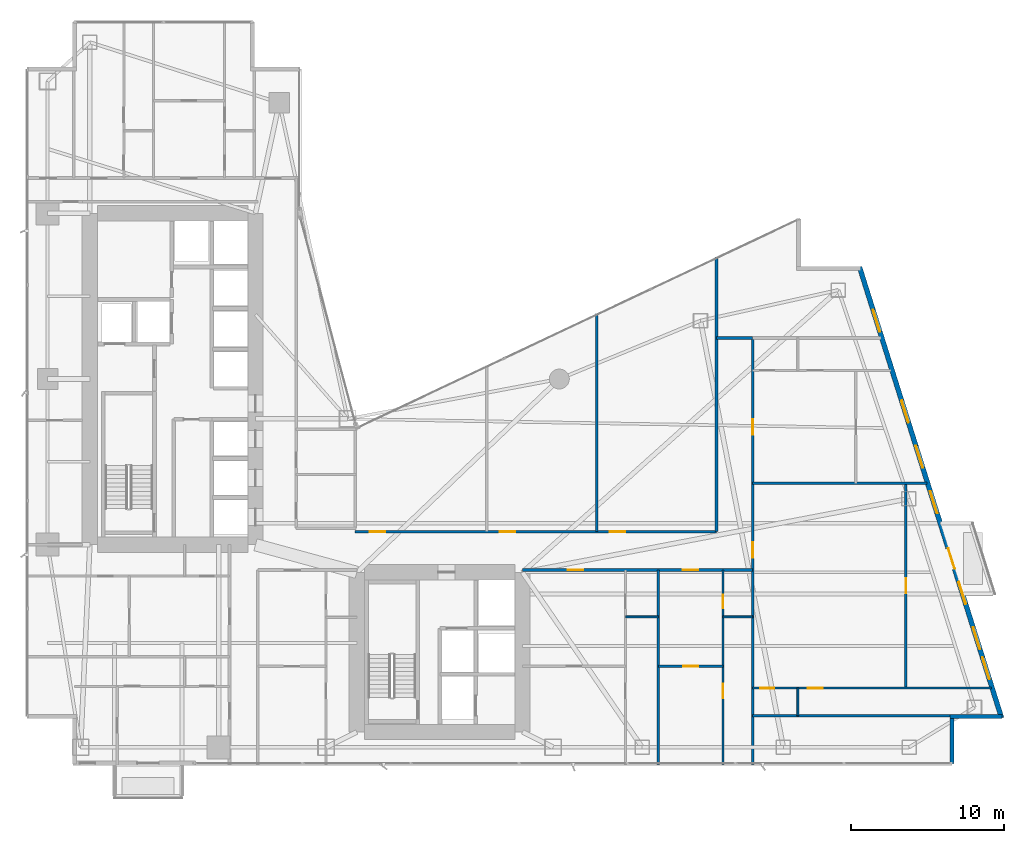
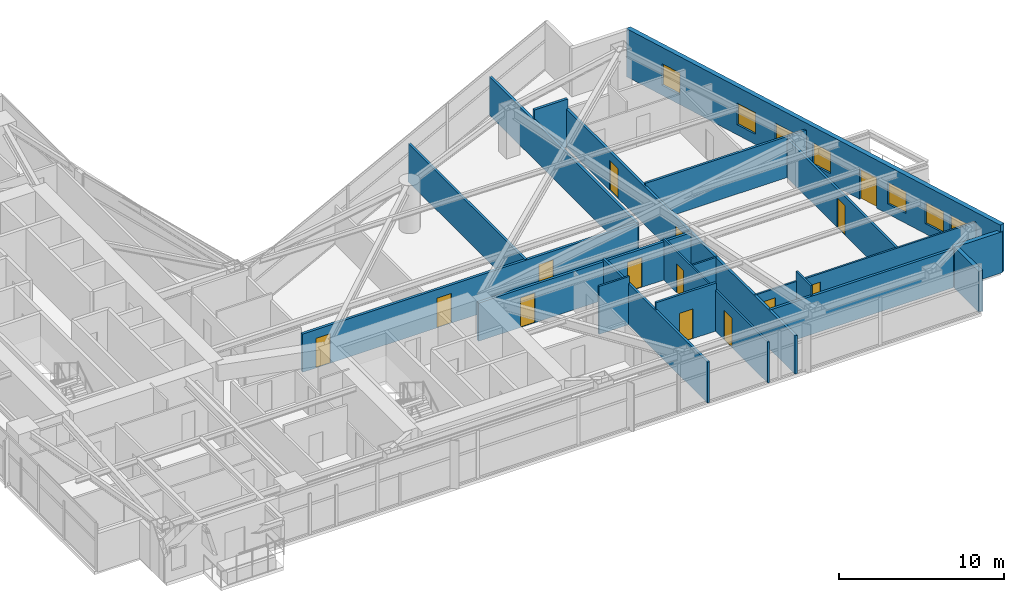
# One storey, part 24 of 29: 19 walls, 14 doors, 7 windows, 21 openings.
"""IFC4 building model written with IfcOpenShell, lengths in metres."""

from ifc_helpers import new_model, si_unit, direction, frame, frame_2d, origin, place, context, subcontext, project, spatial, rectangle, extrude, material, layer, layer_set, type_object, element, fill, save


model = new_model("IFC4")

# Units and contexts
model_context = context("Model", 3, precision=1e-05, world=origin(), true_north=direction((0.0, 1.0)))
body_context = subcontext(model_context, "Body", "Model", "MODEL_VIEW")
ifc_project = project(units=[si_unit("LENGTHUNIT", "METRE"), si_unit("AREAUNIT", "SQUARE_METRE"), si_unit("VOLUMEUNIT", "CUBIC_METRE"), si_unit("PLANEANGLEUNIT", "RADIAN"), si_unit("MASSUNIT", "GRAM", prefix="KILO")], contexts=[model_context])

# Site, building, storey
site_placement = place(None, origin())
site = spatial("IfcSite", under=ifc_project, at=site_placement, CompositionType="ELEMENT")
building_placement = place(site_placement, origin())
building = spatial("IfcBuilding", under=site, at=building_placement, Name="Calvorn Quay Hotel", CompositionType="ELEMENT")
storey_placement = place(building_placement, frame((0.0, 0.0, 34.60009765625)))
storey = spatial("IfcBuildingStorey", under=building, at=storey_placement, Name="L07", CompositionType="ELEMENT", Elevation=34.60009765625)

# Wall, openings, doors
ifc_material_1 = material(Name="Acoustic Fireboard Steel-Stud Partition", Category="steel")
ifc_layer_1 = layer(ifc_material_1, 0.179931640625)
ifc_layer_set_1 = layer_set([ifc_layer_1], Name="WL-CORR-FIRE-180")
wall_type_1 = type_object("IfcWallType", Name="WL-CORR-FIRE-180", PredefinedType="PARTITIONING", material=ifc_layer_set_1)
wall_1_placement = place(storey_placement, frame((32.39990234375, 15.14990234375, 0.0), z_axis=(0.0, 0.0, 1.0), x_axis=(1.0, 0.0, 0.0)))
wall_1 = element("IfcWall", 1, at=wall_1_placement, inside=storey, type_object=wall_type_1, Name="Partition Wall L07-WL-CORR-SE-S", PredefinedType="PARTITIONING", context=body_context, shape_type="SweptSolid", body=[
    extrude(rectangle(XDim=15.0, YDim=0.179931640625, at=frame_2d((7.5, 0.0))), origin(), (0.0, 0.0, 1.0), 2.83984375),
])
opening_1_placement = place(wall_1_placement, frame((2.949951171875, 0.0, 0.0)))
opening_1 = element("IfcOpeningElement", 2, at=opening_1_placement, cuts=wall_1, Name="Opening D-L07-U06", PredefinedType="OPENING", context=body_context, shape_type="SweptSolid", body=[
    extrude(rectangle(XDim=1.02001953125, YDim=2.199951171875, at=frame_2d((0.510009765625, 1.10009765625))), frame((0.0, 0.099853515625, 0.0), z_axis=(0.0, -1.0, 0.0), x_axis=(1.0, 0.0, 0.0)), (0.0, 0.0, 1.0), 0.199951171875),
])
opening_2_placement = place(wall_1_placement, frame((10.449951171875, 0.0, 0.0)))
opening_2 = element("IfcOpeningElement", 3, at=opening_2_placement, cuts=wall_1, Name="Opening D-L07-U07", PredefinedType="OPENING", context=body_context, shape_type="SweptSolid", body=[
    extrude(rectangle(XDim=1.02001953125, YDim=2.199951171875, at=frame_2d((0.510009765625, 1.10009765625))), frame((0.0, 0.099853515625, 0.0), z_axis=(0.0, -1.0, 0.0), x_axis=(1.0, 0.0, 0.0)), (0.0, 0.0, 1.0), 0.199951171875),
])
ifc_material_2 = material(Name="Solid-Core Walnut Veneer Hotel Fire Door")
door_type_1 = type_object("IfcDoorType", Name="DR-GUEST-ENTRY-1020", OperationType="NOTDEFINED", PredefinedType="DOOR", material=ifc_material_2)
door_1_placement = place(opening_1_placement, origin())
door_1 = element("IfcDoor", 4, at=door_1_placement, inside=storey, type_object=door_type_1, Name="South-East Unit Door U06 (L07)", OperationType="SINGLE_SWING_LEFT", OverallHeight=2.199951171875, OverallWidth=1.02001953125, PredefinedType="DOOR", context=body_context, shape_type="SweptSolid", body=[
    extrude(rectangle(XDim=1.02001953125, YDim=2.199951171875, at=frame_2d((0.510009765625, 1.10009765625))), frame((0.0, 0.02490234375, 0.0), z_axis=(0.0, -1.0, 0.0), x_axis=(1.0, 0.0, 0.0)), (0.0, 0.0, 1.0), 0.050048828125),
])
fill(opening_1, door_1)
door_2_placement = place(opening_2_placement, origin())
door_2 = element("IfcDoor", 5, at=door_2_placement, inside=storey, type_object=door_type_1, Name="South-East Unit Door U07 (L07)", OperationType="SINGLE_SWING_RIGHT", OverallHeight=2.199951171875, OverallWidth=1.02001953125, PredefinedType="DOOR", context=body_context, shape_type="SweptSolid", body=[
    extrude(rectangle(XDim=1.02001953125, YDim=2.199951171875, at=frame_2d((0.510009765625, 1.10009765625))), frame((0.0, 0.02490234375, 0.0), z_axis=(0.0, -1.0, 0.0), x_axis=(1.0, 0.0, 0.0)), (0.0, 0.0, 1.0), 0.050048828125),
])
fill(opening_2, door_2)

wall_2_placement = place(storey_placement, frame((21.5, 17.64990234375, 0.0), z_axis=(0.0, 0.0, 1.0), x_axis=(1.0, 0.0, 0.0)))
wall_2 = element("IfcWall", 6, at=wall_2_placement, inside=storey, type_object=wall_type_1, Name="Partition Wall L07-WL-CORR-NE-N", PredefinedType="PARTITIONING", context=body_context, shape_type="SweptSolid", body=[
    extrude(rectangle(XDim=23.550048828125, YDim=0.179931640625, at=frame_2d((11.77490234375, 0.0))), origin(), (0.0, 0.0, 1.0), 2.83984375),
])
opening_3_placement = place(wall_2_placement, frame((0.949951171875, 0.0, 0.0)))
opening_3 = element("IfcOpeningElement", 7, at=opening_3_placement, cuts=wall_2, Name="Opening D-L07-NS1", PredefinedType="OPENING", context=body_context, shape_type="SweptSolid", body=[
    extrude(rectangle(XDim=1.02001953125, YDim=2.199951171875, at=frame_2d((0.510009765625, 1.10009765625))), frame((0.0, 0.099853515625, 0.0), z_axis=(0.0, -1.0, 0.0), x_axis=(1.0, 0.0, 0.0)), (0.0, 0.0, 1.0), 0.199951171875),
])
opening_4_placement = place(wall_2_placement, frame((9.419921875, 0.0, 0.0)))
opening_4 = element("IfcOpeningElement", 8, at=opening_4_placement, cuts=wall_2, Name="Opening D-L07-NS2", PredefinedType="OPENING", context=body_context, shape_type="SweptSolid", body=[
    extrude(rectangle(XDim=1.02001953125, YDim=2.199951171875, at=frame_2d((0.510009765625, 1.10009765625))), frame((0.0, 0.099853515625, 0.0), z_axis=(0.0, -1.0, 0.0), x_axis=(1.0, 0.0, 0.0)), (0.0, 0.0, 1.0), 0.199951171875),
])
opening_5_placement = place(wall_2_placement, frame((16.580078125, 0.0, 0.0)))
opening_5 = element("IfcOpeningElement", 9, at=opening_5_placement, cuts=wall_2, Name="Opening D-L07-NS3", PredefinedType="OPENING", context=body_context, shape_type="SweptSolid", body=[
    extrude(rectangle(XDim=1.02001953125, YDim=2.199951171875, at=frame_2d((0.510009765625, 1.10009765625))), frame((0.0, 0.099853515625, 0.0), z_axis=(0.0, -1.0, 0.0), x_axis=(1.0, 0.0, 0.0)), (0.0, 0.0, 1.0), 0.199951171875),
])
door_3_placement = place(opening_3_placement, origin())
door_3 = element("IfcDoor", 10, at=door_3_placement, inside=storey, type_object=door_type_1, Name="Conservatory Salon Door 1 (L07)", OperationType="SINGLE_SWING_RIGHT", OverallHeight=2.199951171875, OverallWidth=1.02001953125, PredefinedType="DOOR", context=body_context, shape_type="SweptSolid", body=[
    extrude(rectangle(XDim=1.02001953125, YDim=2.199951171875, at=frame_2d((0.510009765625, 1.10009765625))), frame((0.0, 0.02490234375, 0.0), z_axis=(0.0, -1.0, 0.0), x_axis=(1.0, 0.0, 0.0)), (0.0, 0.0, 1.0), 0.050048828125),
])
fill(opening_3, door_3)
door_4_placement = place(opening_4_placement, origin())
door_4 = element("IfcDoor", 11, at=door_4_placement, inside=storey, type_object=door_type_1, Name="Conservatory Salon Door 2 (L07)", OperationType="SINGLE_SWING_LEFT", OverallHeight=2.199951171875, OverallWidth=1.02001953125, PredefinedType="DOOR", context=body_context, shape_type="SweptSolid", body=[
    extrude(rectangle(XDim=1.02001953125, YDim=2.199951171875, at=frame_2d((0.510009765625, 1.10009765625))), frame((0.0, 0.02490234375, 0.0), z_axis=(0.0, -1.0, 0.0), x_axis=(1.0, 0.0, 0.0)), (0.0, 0.0, 1.0), 0.050048828125),
])
fill(opening_4, door_4)
door_5_placement = place(opening_5_placement, origin())
door_5 = element("IfcDoor", 12, at=door_5_placement, inside=storey, type_object=door_type_1, Name="Conservatory Salon Door 3 (L07)", OperationType="SINGLE_SWING_RIGHT", OverallHeight=2.199951171875, OverallWidth=1.02001953125, PredefinedType="DOOR", context=body_context, shape_type="SweptSolid", body=[
    extrude(rectangle(XDim=1.02001953125, YDim=2.199951171875, at=frame_2d((0.510009765625, 1.10009765625))), frame((0.0, 0.02490234375, 0.0), z_axis=(0.0, -1.0, 0.0), x_axis=(1.0, 0.0, 0.0)), (0.0, 0.0, 1.0), 0.050048828125),
])
fill(opening_5, door_5)

# Walls
wall_3_placement = place(storey_placement, frame((45.050048828125, 17.64990234375, 0.0), z_axis=(0.0, 0.0, 1.0), x_axis=(0.0, 1.0, 0.0)))
element("IfcWall", 13, at=wall_3_placement, inside=storey, type_object=wall_type_1, Name="Partition Wall L07-WL-NE-END-E", PredefinedType="PARTITIONING", context=body_context, shape_type="SweptSolid", body=[
    extrude(rectangle(XDim=17.900146484375, YDim=0.179931640625, at=frame_2d((8.9501953125, 0.0))), origin(), (0.0, 0.0, 1.0), 2.83984375),
])
wall_4_placement = place(storey_placement, frame((47.39990234375, 5.659912109375, 0.0), z_axis=(0.0, 0.0, 1.0), x_axis=(1.0, 0.0, 0.0)))
element("IfcWall", 14, at=wall_4_placement, inside=storey, type_object=wall_type_1, Name="Partition Wall L07-WL-TIP-S", PredefinedType="PARTITIONING", context=body_context, shape_type="SweptSolid", body=[
    extrude(rectangle(XDim=13.0, YDim=0.179931640625, at=frame_2d((6.5, 0.0))), origin(), (0.0, 0.0, 1.0), 2.83984375),
])

# Wall, openings, doors
wall_5_placement = place(storey_placement, frame((47.39990234375, 2.43994140625, 0.0), z_axis=(0.0, 0.0, 1.0), x_axis=(0.0, 1.0, 0.0)))
wall_5 = element("IfcWall", 15, at=wall_5_placement, inside=storey, type_object=wall_type_1, Name="Partition Wall L07-WL-CORR-TIP-E", PredefinedType="PARTITIONING", context=body_context, shape_type="SweptSolid", body=[
    extrude(rectangle(XDim=27.840087890625, YDim=0.179931640625, at=frame_2d((13.919921875, 0.0))), origin(), (0.0, 0.0, 1.0), 2.83984375),
])
opening_6_placement = place(wall_5_placement, frame((13.510009765625, 0.0, 0.0)))
opening_6 = element("IfcOpeningElement", 16, at=opening_6_placement, cuts=wall_5, Name="Opening D-L07-U08", PredefinedType="OPENING", context=body_context, shape_type="SweptSolid", body=[
    extrude(rectangle(XDim=1.02001953125, YDim=2.199951171875, at=frame_2d((0.510009765625, 1.10009765625))), frame((0.0, 0.099853515625, 0.0), z_axis=(0.0, -1.0, 0.0), x_axis=(1.0, 0.0, 0.0)), (0.0, 0.0, 1.0), 0.199951171875),
])
opening_7_placement = place(wall_5_placement, frame((21.52001953125, 0.0, 0.0)))
opening_7 = element("IfcOpeningElement", 17, at=opening_7_placement, cuts=wall_5, Name="Opening D-L07-U09", PredefinedType="OPENING", context=body_context, shape_type="SweptSolid", body=[
    extrude(rectangle(XDim=1.02001953125, YDim=2.199951171875, at=frame_2d((0.510009765625, 1.10009765625))), frame((0.0, 0.099853515625, 0.0), z_axis=(0.0, -1.0, 0.0), x_axis=(1.0, 0.0, 0.0)), (0.0, 0.0, 1.0), 0.199951171875),
])
door_6_placement = place(opening_6_placement, origin())
door_6 = element("IfcDoor", 18, at=door_6_placement, inside=storey, type_object=door_type_1, Name="Terrace Suite Door U08 (L07)", OperationType="SINGLE_SWING_LEFT", OverallHeight=2.199951171875, OverallWidth=1.02001953125, PredefinedType="DOOR", context=body_context, shape_type="SweptSolid", body=[
    extrude(rectangle(XDim=1.02001953125, YDim=2.199951171875, at=frame_2d((0.510009765625, 1.10009765625))), frame((0.0, 0.02490234375, 0.0), z_axis=(0.0, -1.0, 0.0), x_axis=(1.0, 0.0, 0.0)), (0.0, 0.0, 1.0), 0.050048828125),
])
fill(opening_6, door_6)
door_7_placement = place(opening_7_placement, origin())
door_7 = element("IfcDoor", 19, at=door_7_placement, inside=storey, type_object=door_type_1, Name="Horizon Suite Door U09 (L07)", OperationType="SINGLE_SWING_RIGHT", OverallHeight=2.199951171875, OverallWidth=1.02001953125, PredefinedType="DOOR", context=body_context, shape_type="SweptSolid", body=[
    extrude(rectangle(XDim=1.02001953125, YDim=2.199951171875, at=frame_2d((0.510009765625, 1.10009765625))), frame((0.0, 0.02490234375, 0.0), z_axis=(0.0, -1.0, 0.0), x_axis=(1.0, 0.0, 0.0)), (0.0, 0.0, 1.0), 0.050048828125),
])
fill(opening_7, door_7)

# Walls
wall_6_placement = place(storey_placement, frame((45.050048828125, 30.280029296875, 0.0), z_axis=(0.0, 0.0, 1.0), x_axis=(1.0, 0.0, 0.0)))
element("IfcWall", 20, at=wall_6_placement, inside=storey, type_object=wall_type_1, Name="Partition Wall L07-WL-CORR-TIP-NN", PredefinedType="PARTITIONING", context=body_context, shape_type="SweptSolid", body=[
    extrude(rectangle(XDim=2.349853515625, YDim=0.179931640625, at=frame_2d((1.1748046875, 0.0))), origin(), (0.0, 0.0, 1.0), 3.559814453125),
])
ifc_material_3 = material(Name="Moisture-Resistant Tile-Backed Partition")
ifc_layer_2 = layer(ifc_material_3, 0.125)
ifc_layer_set_2 = layer_set([ifc_layer_2], Name="WL-ENSUITE-125")
wall_type_2 = type_object("IfcWallType", Name="WL-ENSUITE-125", PredefinedType="PARTITIONING", material=ifc_layer_set_2)
wall_7_placement = place(storey_placement, frame((39.1201171875, 12.10009765625, 0.0), z_axis=(0.0, 0.0, 1.0), x_axis=(1.0, 0.0, 0.0)))
element("IfcWall", 21, at=wall_7_placement, inside=storey, type_object=wall_type_2, Name="Partition Wall L07-WL-U06-BDV", PredefinedType="PARTITIONING", context=body_context, shape_type="SweptSolid", body=[
    extrude(rectangle(XDim=2.1298828125, YDim=0.125, at=frame_2d((1.06494140625, 0.0))), origin(), (0.0, 0.0, 1.0), 3.559814453125),
])
wall_8_placement = place(storey_placement, frame((45.469970703125, 12.10009765625, 0.0), z_axis=(0.0, 0.0, 1.0), x_axis=(1.0, 0.0, 0.0)))
element("IfcWall", 22, at=wall_8_placement, inside=storey, type_object=wall_type_2, Name="Partition Wall L07-WL-U07-BDV", PredefinedType="PARTITIONING", context=body_context, shape_type="SweptSolid", body=[
    extrude(rectangle(XDim=1.929931640625, YDim=0.125, at=frame_2d((0.96484375, 0.0))), origin(), (0.0, 0.0, 1.0), 2.83984375),
])

# Wall, openings, doors
wall_9_placement = place(storey_placement, frame((45.469970703125, 2.43994140625, 0.0), z_axis=(0.0, 0.0, 1.0), x_axis=(0.0, 1.0, 0.0)))
wall_9 = element("IfcWall", 23, at=wall_9_placement, inside=storey, type_object=wall_type_2, Name="Partition Wall L07-WL-U07-BV", PredefinedType="PARTITIONING", context=body_context, shape_type="SweptSolid", body=[
    extrude(rectangle(XDim=12.7099609375, YDim=0.125, at=frame_2d((6.35498046875, 0.0))), origin(), (0.0, 0.0, 1.0), 3.039794921875),
])
opening_8_placement = place(wall_9_placement, frame((4.35009765625, 0.0, 0.0)))
opening_8 = element("IfcOpeningElement", 24, at=opening_8_placement, cuts=wall_9, Name="Opening D-L07-S07", PredefinedType="OPENING", context=body_context, shape_type="SweptSolid", body=[
    extrude(rectangle(XDim=0.9599609375, YDim=2.199951171875, at=frame_2d((0.47998046875, 1.10009765625))), frame((0.0, 0.072509765625, 0.0), z_axis=(0.0, -1.0, 0.0), x_axis=(1.0, 0.0, 0.0)), (0.0, 0.0, 1.0), 0.14501953125),
])
opening_9_placement = place(wall_9_placement, frame((10.2099609375, 0.0, 0.0)))
opening_9 = element("IfcOpeningElement", 25, at=opening_9_placement, cuts=wall_9, Name="Opening D-L07-E07", PredefinedType="OPENING", context=body_context, shape_type="SweptSolid", body=[
    extrude(rectangle(XDim=0.89990234375, YDim=2.14990234375, at=frame_2d((0.449951171875, 1.074951171875))), frame((0.0, 0.072509765625, 0.0), z_axis=(0.0, -1.0, 0.0), x_axis=(1.0, 0.0, 0.0)), (0.0, 0.0, 1.0), 0.14501953125),
])
ifc_material_4 = material(Name="Moisture-Sealed Timber En-Suite Door", Category="wood")
door_type_2 = type_object("IfcDoorType", Name="DR-ENSUITE-900", OperationType="NOTDEFINED", PredefinedType="DOOR", material=ifc_material_4)
door_8_placement = place(opening_9_placement, origin())
door_8 = element("IfcDoor", 26, at=door_8_placement, inside=storey, type_object=door_type_2, Name="En-Suite Door 07", OperationType="SINGLE_SWING_RIGHT", OverallHeight=2.14990234375, OverallWidth=0.89990234375, PredefinedType="DOOR", context=body_context, shape_type="SweptSolid", body=[
    extrude(rectangle(XDim=0.89990234375, YDim=2.14990234375, at=frame_2d((0.449951171875, 1.074951171875))), frame((0.0, 0.02490234375, 0.0), z_axis=(0.0, -1.0, 0.0), x_axis=(1.0, 0.0, 0.0)), (0.0, 0.0, 1.0), 0.050048828125),
])
fill(opening_9, door_8)
ifc_material_5 = material(Name="Solid Timber Internal Suite Door", Category="wood")
door_type_3 = type_object("IfcDoorType", Name="DR-SUITE-INT-960", OperationType="NOTDEFINED", PredefinedType="DOOR", material=ifc_material_5)
door_9_placement = place(opening_8_placement, origin())
door_9 = element("IfcDoor", 27, at=door_9_placement, inside=storey, type_object=door_type_3, Name="Harbour Tea Room Door 07", OperationType="SINGLE_SWING_LEFT", OverallHeight=2.199951171875, OverallWidth=0.9599609375, PredefinedType="DOOR", context=body_context, shape_type="SweptSolid", body=[
    extrude(rectangle(XDim=0.9599609375, YDim=2.199951171875, at=frame_2d((0.47998046875, 1.10009765625))), frame((0.0, 0.02490234375, 0.0), z_axis=(0.0, -1.0, 0.0), x_axis=(1.0, 0.0, 0.0)), (0.0, 0.0, 1.0), 0.050048828125),
])
fill(opening_8, door_9)

# Wall
wall_10_placement = place(storey_placement, frame((50.35009765625, 5.659912109375, 0.0), z_axis=(0.0, 0.0, 1.0), x_axis=(0.0, 1.0, 0.0)))
element("IfcWall", 28, at=wall_10_placement, inside=storey, type_object=wall_type_2, Name="Partition Wall L07-WL-U08-BDV", PredefinedType="PARTITIONING", context=body_context, shape_type="SweptSolid", body=[
    extrude(rectangle(XDim=1.7900390625, YDim=0.125, at=frame_2d((0.89501953125, 0.0))), origin(), (0.0, 0.0, 1.0), 3.559814453125),
])

# Wall, openings, doors
wall_11_placement = place(storey_placement, frame((47.39990234375, 7.449951171875, 0.0), z_axis=(0.0, 0.0, 1.0), x_axis=(1.0, 0.0, 0.0)))
wall_11 = element("IfcWall", 29, at=wall_11_placement, inside=storey, type_object=wall_type_2, Name="Partition Wall L07-WL-U08-BH", PredefinedType="PARTITIONING", context=body_context, shape_type="SweptSolid", body=[
    extrude(rectangle(XDim=15.56005859375, YDim=0.125, at=frame_2d((7.780029296875, 0.0))), origin(), (0.0, 0.0, 1.0), 2.83984375),
])
opening_10_placement = place(wall_11_placement, frame((0.5, 0.0, 0.0)))
opening_10 = element("IfcOpeningElement", 30, at=opening_10_placement, cuts=wall_11, Name="Opening D-L07-E08", PredefinedType="OPENING", context=body_context, shape_type="SweptSolid", body=[
    extrude(rectangle(XDim=0.89990234375, YDim=2.14990234375, at=frame_2d((0.449951171875, 1.074951171875))), frame((0.0, 0.072509765625, 0.0), z_axis=(0.0, -1.0, 0.0), x_axis=(1.0, 0.0, 0.0)), (0.0, 0.0, 1.0), 0.14501953125),
])
opening_11_placement = place(wall_11_placement, frame((3.60009765625, 0.0, 0.0)))
opening_11 = element("IfcOpeningElement", 31, at=opening_11_placement, cuts=wall_11, Name="Opening D-L07-S08", PredefinedType="OPENING", context=body_context, shape_type="SweptSolid", body=[
    extrude(rectangle(XDim=0.9599609375, YDim=2.199951171875, at=frame_2d((0.47998046875, 1.10009765625))), frame((0.0, 0.072509765625, 0.0), z_axis=(0.0, -1.0, 0.0), x_axis=(1.0, 0.0, 0.0)), (0.0, 0.0, 1.0), 0.14501953125),
])
door_10_placement = place(opening_10_placement, origin())
door_10 = element("IfcDoor", 32, at=door_10_placement, inside=storey, type_object=door_type_2, Name="En-Suite Door 08", OperationType="SINGLE_SWING_LEFT", OverallHeight=2.14990234375, OverallWidth=0.89990234375, PredefinedType="DOOR", context=body_context, shape_type="SweptSolid", body=[
    extrude(rectangle(XDim=0.89990234375, YDim=2.14990234375, at=frame_2d((0.449951171875, 1.074951171875))), frame((0.0, 0.02490234375, 0.0), z_axis=(0.0, -1.0, 0.0), x_axis=(1.0, 0.0, 0.0)), (0.0, 0.0, 1.0), 0.050048828125),
])
fill(opening_10, door_10)
door_11_placement = place(opening_11_placement, origin())
door_11 = element("IfcDoor", 33, at=door_11_placement, inside=storey, type_object=door_type_3, Name="Harbour Tea Room Door 08", OperationType="SINGLE_SWING_RIGHT", OverallHeight=2.199951171875, OverallWidth=0.9599609375, PredefinedType="DOOR", context=body_context, shape_type="SweptSolid", body=[
    extrude(rectangle(XDim=0.9599609375, YDim=2.199951171875, at=frame_2d((0.47998046875, 1.10009765625))), frame((0.0, 0.02490234375, 0.0), z_axis=(0.0, -1.0, 0.0), x_axis=(1.0, 0.0, 0.0)), (0.0, 0.0, 1.0), 0.050048828125),
])
fill(opening_11, door_11)

# Walls
ifc_material_6 = material(Name="Concrete C40", Category="concrete")
ifc_layer_3 = layer(ifc_material_6, 0.320068359375)
ifc_layer_set_3 = layer_set([ifc_layer_3], Name="WL-EXT-SPANDREL-320")
wall_type_3 = type_object("IfcWallType", Name="WL-EXT-SPANDREL-320", PredefinedType="SOLIDWALL", material=ifc_layer_set_3)
wall_12_placement = place(storey_placement, frame((60.39990234375, 2.52001953125, 0.0), z_axis=(0.0, 0.0, 1.0), x_axis=(0.0, 1.0, 0.0)))
element("IfcWall", 34, at=wall_12_placement, inside=storey, type_object=wall_type_3, Name="Notched Corner Spandrel L07-SE1", PredefinedType="SOLIDWALL", context=body_context, shape_type="SweptSolid", body=[
    extrude(rectangle(XDim=2.93994140625, YDim=0.280029296875, at=frame_2d((1.469970703125, 0.0))), origin(), (0.0, 0.0, 1.0), 3.039794921875),
])
wall_13_placement = place(storey_placement, frame((60.260009765625, 5.60009765625, 0.0), z_axis=(0.0, 0.0, 1.0), x_axis=(1.0, 0.0, 0.0)))
element("IfcWall", 35, at=wall_13_placement, inside=storey, type_object=wall_type_3, Name="Notched Corner Spandrel L07-SE2", PredefinedType="SOLIDWALL", context=body_context, shape_type="SweptSolid", body=[
    extrude(rectangle(XDim=3.3798828125, YDim=0.280029296875, at=frame_2d((1.68994140625, 0.0))), origin(), (0.0, 0.0, 1.0), 3.039794921875),
])

# Wall, openings, door, windows
wall_14_placement = place(storey_placement, frame((63.6298828125, 5.5048828125, 0.0), z_axis=(0.0, 0.0, 1.0), x_axis=(-0.300501856448, 0.953781229775, 0.0)))
wall_14 = element("IfcWall", 36, at=wall_14_placement, inside=storey, type_object=wall_type_3, Name="East Stepped Waterfront Exterior Wall (L07)", PredefinedType="SOLIDWALL", context=body_context, shape_type="SweptSolid", body=[
    extrude(rectangle(XDim=30.814453125, YDim=0.320068359375, at=frame_2d((15.4072265625, 0.0))), origin(), (0.0, 0.0, 1.0), 3.559814453125),
])
opening_12_placement = place(wall_14_placement, frame((10.198974609375, 0.0, 0.0)))
opening_12 = element("IfcOpeningElement", 37, at=opening_12_placement, cuts=wall_14, Name="Opening DB-L07-1", PredefinedType="OPENING", context=body_context, shape_type="SweptSolid", body=[
    extrude(rectangle(XDim=1.39990234375, YDim=2.25, at=frame_2d((0.699951171875, 1.125))), frame((0.0, 0.169921875, 0.0), z_axis=(0.0, -1.0, 0.0), x_axis=(1.0, 0.0, 0.0)), (0.0, 0.0, 1.0), 0.340087890625),
])
opening_13_placement = place(wall_14_placement, frame((2.64990234375, 0.0, 0.75)))
opening_13 = element("IfcOpeningElement", 38, at=opening_13_placement, cuts=wall_14, Name="Opening WG-L07-E1", PredefinedType="OPENING", context=body_context, shape_type="SweptSolid", body=[
    extrude(rectangle(XDim=1.5, YDim=1.60009765625, at=frame_2d((0.75, 0.800048828125))), frame((0.0, 0.169921875, 0.0), z_axis=(0.0, -1.0, 0.0), x_axis=(1.0, 0.0, 0.0)), (0.0, 0.0, 1.0), 0.340087890625),
])
opening_14_placement = place(wall_14_placement, frame((4.699951171875, 0.0, 0.75)))
opening_14 = element("IfcOpeningElement", 39, at=opening_14_placement, cuts=wall_14, Name="Opening WG-L07-E2", PredefinedType="OPENING", context=body_context, shape_type="SweptSolid", body=[
    extrude(rectangle(XDim=1.5, YDim=1.60009765625, at=frame_2d((0.75, 0.800048828125))), frame((0.0, 0.169921875, 0.0), z_axis=(0.0, -1.0, 0.0), x_axis=(1.0, 0.0, 0.0)), (0.0, 0.0, 1.0), 0.340087890625),
])
opening_15_placement = place(wall_14_placement, frame((7.800048828125, 0.0, 0.75)))
opening_15 = element("IfcOpeningElement", 40, at=opening_15_placement, cuts=wall_14, Name="Opening WG-L07-E3", PredefinedType="OPENING", context=body_context, shape_type="SweptSolid", body=[
    extrude(rectangle(XDim=1.5, YDim=1.60009765625, at=frame_2d((0.75, 0.800048828125))), frame((0.0, 0.169921875, 0.0), z_axis=(0.0, -1.0, 0.0), x_axis=(1.0, 0.0, 0.0)), (0.0, 0.0, 1.0), 0.340087890625),
])
opening_16_placement = place(wall_14_placement, frame((14.0, 0.0, 0.75)))
opening_16 = element("IfcOpeningElement", 41, at=opening_16_placement, cuts=wall_14, Name="Opening WG-L07-E4", PredefinedType="OPENING", context=body_context, shape_type="SweptSolid", body=[
    extrude(rectangle(XDim=1.5, YDim=1.60009765625, at=frame_2d((0.75, 0.800048828125))), frame((0.0, 0.169921875, 0.0), z_axis=(0.0, -1.0, 0.0), x_axis=(1.0, 0.0, 0.0)), (0.0, 0.0, 1.0), 0.340087890625),
])
opening_17_placement = place(wall_14_placement, frame((17.10009765625, 0.0, 0.75)))
opening_17 = element("IfcOpeningElement", 42, at=opening_17_placement, cuts=wall_14, Name="Opening WG-L07-E5", PredefinedType="OPENING", context=body_context, shape_type="SweptSolid", body=[
    extrude(rectangle(XDim=1.5, YDim=1.60009765625, at=frame_2d((0.75, 0.800048828125))), frame((0.0, 0.169921875, 0.0), z_axis=(0.0, -1.0, 0.0), x_axis=(1.0, 0.0, 0.0)), (0.0, 0.0, 1.0), 0.340087890625),
])
opening_18_placement = place(wall_14_placement, frame((20.199951171875, 0.0, 0.75)))
opening_18 = element("IfcOpeningElement", 43, at=opening_18_placement, cuts=wall_14, Name="Opening WG-L07-E6", PredefinedType="OPENING", context=body_context, shape_type="SweptSolid", body=[
    extrude(rectangle(XDim=1.5, YDim=1.60009765625, at=frame_2d((0.75, 0.800048828125))), frame((0.0, 0.169921875, 0.0), z_axis=(0.0, -1.0, 0.0), x_axis=(1.0, 0.0, 0.0)), (0.0, 0.0, 1.0), 0.340087890625),
])
opening_19_placement = place(wall_14_placement, frame((26.39990234375, 0.0, 0.75)))
opening_19 = element("IfcOpeningElement", 44, at=opening_19_placement, cuts=wall_14, Name="Opening WG-L07-E7", PredefinedType="OPENING", context=body_context, shape_type="SweptSolid", body=[
    extrude(rectangle(XDim=1.5, YDim=1.60009765625, at=frame_2d((0.75, 0.800048828125))), frame((0.0, 0.169921875, 0.0), z_axis=(0.0, -1.0, 0.0), x_axis=(1.0, 0.0, 0.0)), (0.0, 0.0, 1.0), 0.340087890625),
])
ifc_material_7 = material(Name="Typhoon-Rated Low-E Aluminium Terrace Door", Category="aluminium")
door_type_4 = type_object("IfcDoorType", Name="DR-BALCONY-GLZ-1400", OperationType="NOTDEFINED", PredefinedType="DOOR", material=ifc_material_7)
door_12_placement = place(opening_12_placement, origin())
door_12 = element("IfcDoor", 45, at=door_12_placement, inside=storey, type_object=door_type_4, Name="Tree Balcony Terrace Door L07-BALC-E", OperationType="SINGLE_SWING_LEFT", OverallHeight=2.25, OverallWidth=1.39990234375, PredefinedType="DOOR", context=body_context, shape_type="SweptSolid", body=[
    extrude(rectangle(XDim=1.39990234375, YDim=2.25, at=frame_2d((0.699951171875, 1.125))), frame((0.0, 0.02490234375, 0.0), z_axis=(0.0, -1.0, 0.0), x_axis=(1.0, 0.0, 0.0)), (0.0, 0.0, 1.0), 0.050048828125),
])
fill(opening_12, door_12)
ifc_material_8 = material(Name="Self-Closing Class B Fire Window")
window_type = type_object("IfcWindowType", Name="WIN-REFUGE-1500x1600", PartitioningType="SINGLE_PANEL", PredefinedType="WINDOW", material=ifc_material_8)
window_1_placement = place(opening_13_placement, origin())
window_1 = element("IfcWindow", 46, at=window_1_placement, inside=storey, type_object=window_type, Name="East Facade Window L07-E1", OverallHeight=1.60009765625, OverallWidth=1.5, PartitioningType="SINGLE_PANEL", PredefinedType="WINDOW", context=body_context, shape_type="SweptSolid", body=[
    extrude(rectangle(XDim=1.5, YDim=1.60009765625, at=frame_2d((0.75, 0.800048828125))), frame((0.0, 0.030029296875, 0.0), z_axis=(0.0, -1.0, 0.0), x_axis=(1.0, 0.0, 0.0)), (0.0, 0.0, 1.0), 0.06005859375),
])
fill(opening_13, window_1)
window_2_placement = place(opening_14_placement, origin())
window_2 = element("IfcWindow", 47, at=window_2_placement, inside=storey, type_object=window_type, Name="East Facade Window L07-E2", OverallHeight=1.60009765625, OverallWidth=1.5, PartitioningType="SINGLE_PANEL", PredefinedType="WINDOW", context=body_context, shape_type="SweptSolid", body=[
    extrude(rectangle(XDim=1.5, YDim=1.60009765625, at=frame_2d((0.75, 0.800048828125))), frame((0.0, 0.030029296875, 0.0), z_axis=(0.0, -1.0, 0.0), x_axis=(1.0, 0.0, 0.0)), (0.0, 0.0, 1.0), 0.06005859375),
])
fill(opening_14, window_2)
window_3_placement = place(opening_15_placement, origin())
window_3 = element("IfcWindow", 48, at=window_3_placement, inside=storey, type_object=window_type, Name="East Facade Window L07-E3", OverallHeight=1.60009765625, OverallWidth=1.5, PartitioningType="SINGLE_PANEL", PredefinedType="WINDOW", context=body_context, shape_type="SweptSolid", body=[
    extrude(rectangle(XDim=1.5, YDim=1.60009765625, at=frame_2d((0.75, 0.800048828125))), frame((0.0, 0.030029296875, 0.0), z_axis=(0.0, -1.0, 0.0), x_axis=(1.0, 0.0, 0.0)), (0.0, 0.0, 1.0), 0.06005859375),
])
fill(opening_15, window_3)
window_4_placement = place(opening_16_placement, origin())
window_4 = element("IfcWindow", 49, at=window_4_placement, inside=storey, type_object=window_type, Name="East Facade Window L07-E4", OverallHeight=1.60009765625, OverallWidth=1.5, PartitioningType="SINGLE_PANEL", PredefinedType="WINDOW", context=body_context, shape_type="SweptSolid", body=[
    extrude(rectangle(XDim=1.5, YDim=1.60009765625, at=frame_2d((0.75, 0.800048828125))), frame((0.0, 0.030029296875, 0.0), z_axis=(0.0, -1.0, 0.0), x_axis=(1.0, 0.0, 0.0)), (0.0, 0.0, 1.0), 0.06005859375),
])
fill(opening_16, window_4)
window_5_placement = place(opening_17_placement, origin())
window_5 = element("IfcWindow", 50, at=window_5_placement, inside=storey, type_object=window_type, Name="East Facade Window L07-E5", OverallHeight=1.60009765625, OverallWidth=1.5, PartitioningType="SINGLE_PANEL", PredefinedType="WINDOW", context=body_context, shape_type="SweptSolid", body=[
    extrude(rectangle(XDim=1.5, YDim=1.60009765625, at=frame_2d((0.75, 0.800048828125))), frame((0.0, 0.030029296875, 0.0), z_axis=(0.0, -1.0, 0.0), x_axis=(1.0, 0.0, 0.0)), (0.0, 0.0, 1.0), 0.06005859375),
])
fill(opening_17, window_5)
window_6_placement = place(opening_18_placement, origin())
window_6 = element("IfcWindow", 51, at=window_6_placement, inside=storey, type_object=window_type, Name="East Facade Window L07-E6", OverallHeight=1.60009765625, OverallWidth=1.5, PartitioningType="SINGLE_PANEL", PredefinedType="WINDOW", context=body_context, shape_type="SweptSolid", body=[
    extrude(rectangle(XDim=1.5, YDim=1.60009765625, at=frame_2d((0.75, 0.800048828125))), frame((0.0, 0.030029296875, 0.0), z_axis=(0.0, -1.0, 0.0), x_axis=(1.0, 0.0, 0.0)), (0.0, 0.0, 1.0), 0.06005859375),
])
fill(opening_18, window_6)
window_7_placement = place(opening_19_placement, origin())
window_7 = element("IfcWindow", 52, at=window_7_placement, inside=storey, type_object=window_type, Name="East Facade Window L07-E7", OverallHeight=1.60009765625, OverallWidth=1.5, PartitioningType="SINGLE_PANEL", PredefinedType="WINDOW", context=body_context, shape_type="SweptSolid", body=[
    extrude(rectangle(XDim=1.5, YDim=1.60009765625, at=frame_2d((0.75, 0.800048828125))), frame((0.0, 0.030029296875, 0.0), z_axis=(0.0, -1.0, 0.0), x_axis=(1.0, 0.0, 0.0)), (0.0, 0.0, 1.0), 0.06005859375),
])
fill(opening_19, window_7)

# Wall, opening, door
ifc_material_9 = material(Name="Double-Stud Acoustic Gypsum Partition")
ifc_layer_4 = layer(ifc_material_9, 0.159912109375)
ifc_layer_set_4 = layer_set([ifc_layer_4], Name="WL-INTERSUITE-160")
wall_type_4 = type_object("IfcWallType", Name="WL-INTERSUITE-160", PredefinedType="PARTITIONING", material=ifc_layer_set_4)
wall_15_placement = place(storey_placement, frame((41.25, 8.8798828125, 0.0), z_axis=(0.0, 0.0, 1.0), x_axis=(1.0, 0.0, 0.0)))
wall_15 = element("IfcWall", 53, at=wall_15_placement, inside=storey, type_object=wall_type_4, Name="Partition Wall L07-WL-U07-MSP", PredefinedType="PARTITIONING", context=body_context, shape_type="SweptSolid", body=[
    extrude(rectangle(XDim=4.219970703125, YDim=0.159912109375, at=frame_2d((2.10986328125, 0.0))), origin(), (0.0, 0.0, 1.0), 3.559814453125),
])
opening_20_placement = place(wall_15_placement, frame((1.6298828125, 0.0, 0.0)))
opening_20 = element("IfcOpeningElement", 54, at=opening_20_placement, cuts=wall_15, Name="Opening D-L07-M07", PredefinedType="OPENING", context=body_context, shape_type="SweptSolid", body=[
    extrude(rectangle(XDim=0.9599609375, YDim=2.199951171875, at=frame_2d((0.47998046875, 1.10009765625))), frame((0.0, 0.08984375, 0.0), z_axis=(0.0, -1.0, 0.0), x_axis=(1.0, 0.0, 0.0)), (0.0, 0.0, 1.0), 0.179931640625),
])
door_13_placement = place(opening_20_placement, origin())
door_13 = element("IfcDoor", 55, at=door_13_placement, inside=storey, type_object=door_type_3, Name="Suite Bedroom Door 07", OperationType="SINGLE_SWING_LEFT", OverallHeight=2.199951171875, OverallWidth=0.9599609375, PredefinedType="DOOR", context=body_context, shape_type="SweptSolid", body=[
    extrude(rectangle(XDim=0.9599609375, YDim=2.199951171875, at=frame_2d((0.47998046875, 1.10009765625))), frame((0.0, 0.02490234375, 0.0), z_axis=(0.0, -1.0, 0.0), x_axis=(1.0, 0.0, 0.0)), (0.0, 0.0, 1.0), 0.050048828125),
])
fill(opening_20, door_13)

# Walls
wall_16_placement = place(storey_placement, frame((41.25, 2.43994140625, 0.0), z_axis=(0.0, 0.0, 1.0), x_axis=(0.0, 1.0, 0.0)))
element("IfcWall", 56, at=wall_16_placement, inside=storey, type_object=wall_type_4, Name="Partition Wall L07-WL-SE-DIV-1", PredefinedType="PARTITIONING", context=body_context, shape_type="SweptSolid", body=[
    extrude(rectangle(XDim=12.7099609375, YDim=0.159912109375, at=frame_2d((6.35498046875, 0.0))), origin(), (0.0, 0.0, 1.0), 3.039794921875),
])
wall_17_placement = place(storey_placement, frame((37.22998046875, 17.64990234375, 0.0), z_axis=(0.0, 0.0, 1.0), x_axis=(0.0, 1.0, 0.0)))
element("IfcWall", 57, at=wall_17_placement, inside=storey, type_object=wall_type_4, Name="Partition Wall L07-WL-NE-DIV-2", PredefinedType="PARTITIONING", context=body_context, shape_type="SweptSolid", body=[
    extrude(rectangle(XDim=14.210205078125, YDim=0.159912109375, at=frame_2d((7.10498046875, 0.0))), origin(), (0.0, 0.0, 1.0), 2.83984375),
])

# Wall, opening, door
wall_18_placement = place(storey_placement, frame((57.389892578125, 7.449951171875, 0.0), z_axis=(0.0, 0.0, 1.0), x_axis=(0.0, 1.0, 0.0)))
wall_18 = element("IfcWall", 58, at=wall_18_placement, inside=storey, type_object=wall_type_4, Name="Partition Wall L07-WL-U08-MSP", PredefinedType="PARTITIONING", context=body_context, shape_type="SweptSolid", body=[
    extrude(rectangle(XDim=13.35009765625, YDim=0.159912109375, at=frame_2d((6.675048828125, 0.0))), origin(), (0.0, 0.0, 1.0), 2.83984375),
])
opening_21_placement = place(wall_18_placement, frame((6.199951171875, 0.0, 0.0)))
opening_21 = element("IfcOpeningElement", 59, at=opening_21_placement, cuts=wall_18, Name="Opening D-L07-M08", PredefinedType="OPENING", context=body_context, shape_type="SweptSolid", body=[
    extrude(rectangle(XDim=0.9599609375, YDim=2.199951171875, at=frame_2d((0.47998046875, 1.10009765625))), frame((0.0, 0.08984375, 0.0), z_axis=(0.0, -1.0, 0.0), x_axis=(1.0, 0.0, 0.0)), (0.0, 0.0, 1.0), 0.179931640625),
])
door_14_placement = place(opening_21_placement, origin())
door_14 = element("IfcDoor", 60, at=door_14_placement, inside=storey, type_object=door_type_3, Name="Suite Bedroom Door 08", OperationType="SINGLE_SWING_LEFT", OverallHeight=2.199951171875, OverallWidth=0.9599609375, PredefinedType="DOOR", context=body_context, shape_type="SweptSolid", body=[
    extrude(rectangle(XDim=0.9599609375, YDim=2.199951171875, at=frame_2d((0.47998046875, 1.10009765625))), frame((0.0, 0.02490234375, 0.0), z_axis=(0.0, -1.0, 0.0), x_axis=(1.0, 0.0, 0.0)), (0.0, 0.0, 1.0), 0.050048828125),
])
fill(opening_21, door_14)

# Wall
wall_19_placement = place(storey_placement, frame((47.39990234375, 20.800048828125, 0.0), z_axis=(0.0, 0.0, 1.0), x_axis=(1.0, 0.0, 0.0)))
element("IfcWall", 61, at=wall_19_placement, inside=storey, type_object=wall_type_4, Name="Partition Wall L07-WL-TIP-DIV", PredefinedType="PARTITIONING", context=body_context, shape_type="SweptSolid", body=[
    extrude(rectangle(XDim=11.35009765625, YDim=0.159912109375, at=frame_2d((5.675048828125, 0.0))), origin(), (0.0, 0.0, 1.0), 3.039794921875),
])

save(model, "model.ifc")
